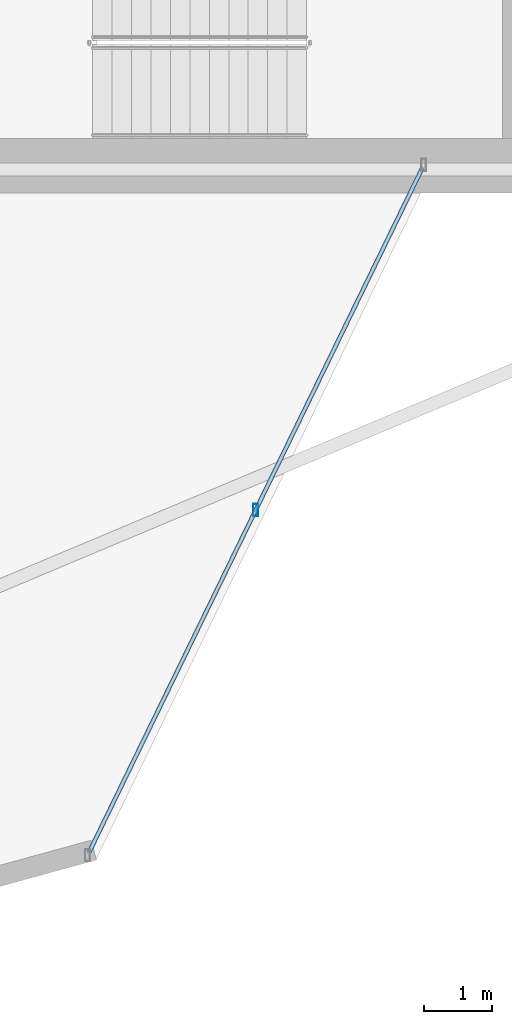
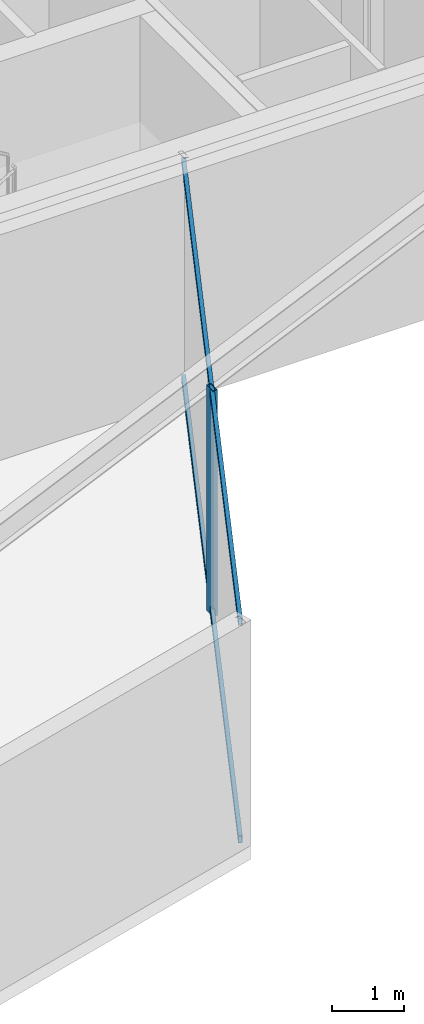
# One storey, part 11 of 24: 3 members, 1 element without a shape of its own.
"""IFC4 building model written with IfcOpenShell, lengths in metres."""

from ifc_helpers import new_model, si_unit, direction, frame, origin, origin_2d, place, context, subcontext, project, spatial, hollow_rectangle, extrude, material, layer, layer_set, material_profile, profile_set, type_object, element, aggregate, save


model = new_model("IFC4")

# Units and contexts
model_context = context("Model", 3, precision=1e-05, world=origin(), true_north=direction((0.0, 1.0)))
body_context = subcontext(model_context, "Body", "Model", "MODEL_VIEW")
ifc_project = project(units=[si_unit("LENGTHUNIT", "METRE"), si_unit("AREAUNIT", "SQUARE_METRE"), si_unit("VOLUMEUNIT", "CUBIC_METRE"), si_unit("PLANEANGLEUNIT", "RADIAN"), si_unit("MASSUNIT", "GRAM", prefix="KILO")], contexts=[model_context])

# Site, building, storey
site_placement = place(None, origin())
site = spatial("IfcSite", under=ifc_project, at=site_placement, CompositionType="ELEMENT")
building_placement = place(site_placement, origin())
building = spatial("IfcBuilding", under=site, at=building_placement, Name="Veymaron Broadcast Tower", CompositionType="ELEMENT")
storey_placement = place(building_placement, frame((0.0, 0.0, 124.949951171875)))
storey = spatial("IfcBuildingStorey", under=building, at=storey_placement, Name="L28", CompositionType="ELEMENT", Elevation=124.949951171875)

# Curtain wall, members
ifc_material_1 = material(Name="Anodised aluminium AA 6063-T6 and laminated low-E dark glass", Category="aluminium")
ifc_layer = layer(ifc_material_1, 0.179931640625)
ifc_layer_set = layer_set([ifc_layer], Name="Anodised aluminium AA 6063-T6 and laminated low-E dark glass")
curtain_wall_type = type_object("IfcCurtainWallType", Name="CW-SYS-03", PredefinedType="NOTDEFINED", material=ifc_layer_set)
curtain_wall_placement = place(storey_placement, origin())
curtain_wall = element("IfcCurtainWall", 1, at=curtain_wall_placement, inside=storey, type_object=curtain_wall_type, Name="L28 dark-glass curtain wall CW-L28-E20-1", PredefinedType="NOTDEFINED")
ifc_material_2 = material(Name="Anodised aluminium AA 6063-T6", Category="aluminium")
ifc_material_profile_1 = material_profile(ifc_material_2, hollow_rectangle(XDim=0.074951171875, YDim=0.179931640625, WallThickness=0.0048828125, at=origin_2d()), Name="AL180X75X5")
ifc_profile_set_1 = profile_set([ifc_material_profile_1], Name="Anodised aluminium AA 6063-T6")
member_type_1 = type_object("IfcMemberType", Name="CW-MUL-02", PredefinedType="MULLION", material=ifc_profile_set_1)
member_1_placement = place(storey_placement, frame((43.8203125, 11.001220703125, 0.0), z_axis=(0.0, 0.0, 1.0), x_axis=(1.0, 0.0, 0.0)))
member_1 = element("IfcMember", 2, at=member_1_placement, type_object=member_type_1, Name="CW-L28-E20-1 mullion 1", PredefinedType="MULLION", context=body_context, shape_type="SweptSolid", body=[
    extrude(hollow_rectangle(XDim=0.074951171875, YDim=0.179931640625, WallThickness=0.0048828125, at=origin_2d()), origin(), (0.0, 0.0, 1.0), 3.81005859375),
])
ifc_material_profile_2 = material_profile(ifc_material_2, hollow_rectangle(XDim=0.06005859375, YDim=0.1201171875, WallThickness=0.00390625, at=origin_2d()), Name="AL120X60X4")
ifc_profile_set_2 = profile_set([ifc_material_profile_2], Name="Anodised aluminium AA 6063-T6")
member_type_2 = type_object("IfcMemberType", Name="CW-TRN-02", PredefinedType="USERDEFINED", material=ifc_profile_set_2)
member_2_placement = place(storey_placement, frame((41.378173828125, 5.986328125, 0.070068359375), z_axis=(0.43783155642, 0.899057021663, 0.0), x_axis=(-0.899057021663, 0.43783155642, 0.0)))
member_2 = element("IfcMember", 3, at=member_2_placement, type_object=member_type_2, Name="CW-L28-E20-1 transom B", ObjectType="TRANSOM", PredefinedType="USERDEFINED", context=body_context, shape_type="SweptSolid", body=[
    extrude(hollow_rectangle(XDim=0.06005859375, YDim=0.1201171875, WallThickness=0.00390625, at=origin_2d()), origin(), (0.0, 0.0, 1.0), 11.15625),
])
member_3_placement = place(storey_placement, frame((41.378173828125, 5.986328125, 3.739990234375), z_axis=(0.43783155642, 0.899057021663, 0.0), x_axis=(-0.899057021663, 0.43783155642, 0.0)))
member_3 = element("IfcMember", 4, at=member_3_placement, type_object=member_type_2, Name="CW-L28-E20-1 transom T", ObjectType="TRANSOM", PredefinedType="USERDEFINED", context=body_context, shape_type="SweptSolid", body=[
    extrude(hollow_rectangle(XDim=0.06005859375, YDim=0.1201171875, WallThickness=0.00390625, at=origin_2d()), origin(), (0.0, 0.0, 1.0), 11.15625),
])
aggregate(curtain_wall, [member_1, member_2, member_3])

save(model, "model.ifc")
